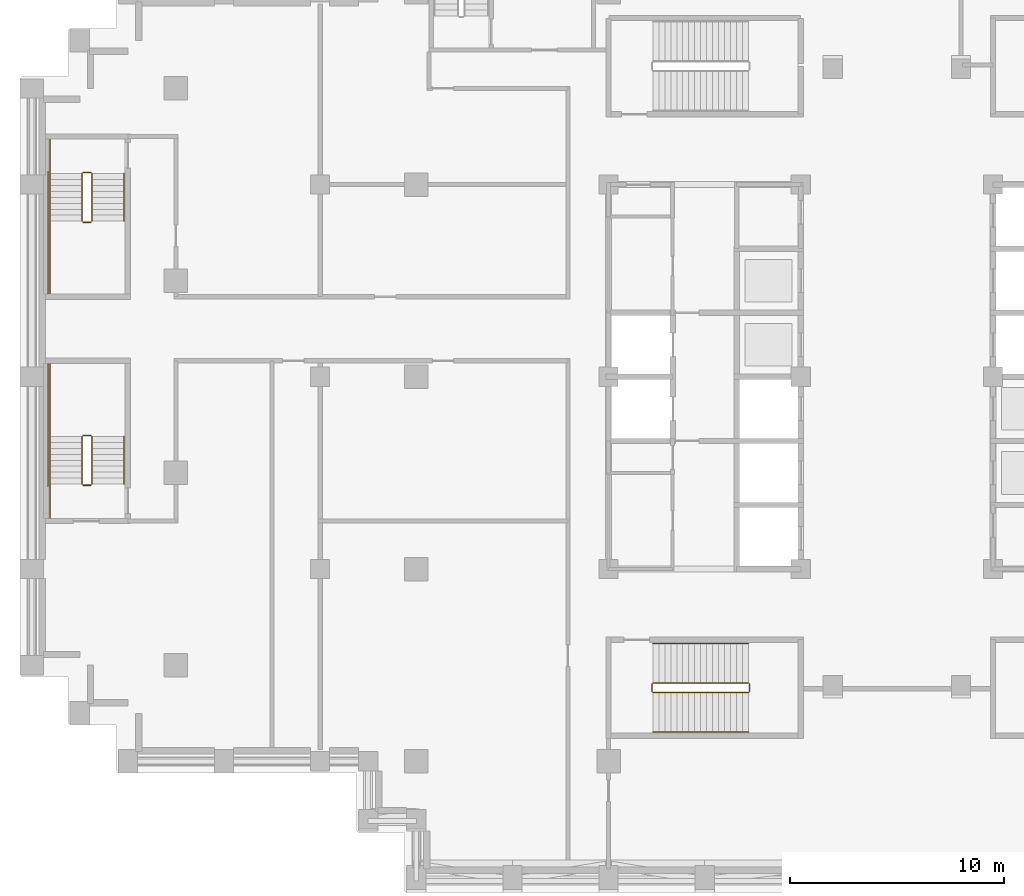
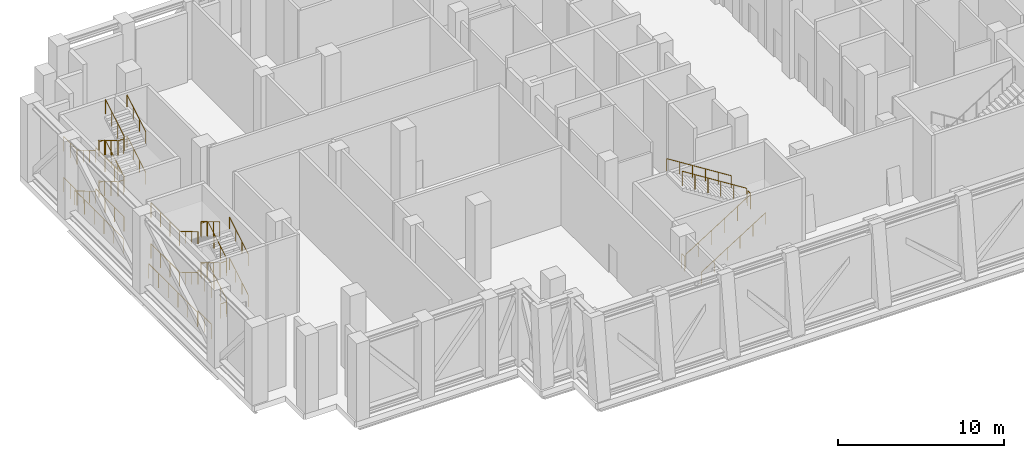
# One storey, part 11 of 14: 3 railings.
"""IFC4 building model written with IfcOpenShell, lengths in metres."""

from ifc_helpers import new_model, si_unit, direction, frame, origin, origin_2d, place, context, subcontext, project, spatial, circle, extrude, material, type_object, element, save


model = new_model("IFC4")

# Units and contexts
model_context = context("Model", 3, precision=1e-05, world=origin(), true_north=direction((0.0, 1.0)))
body_context = subcontext(model_context, "Body", "Model", "MODEL_VIEW")
ifc_project = project(units=[si_unit("LENGTHUNIT", "METRE"), si_unit("AREAUNIT", "SQUARE_METRE"), si_unit("VOLUMEUNIT", "CUBIC_METRE"), si_unit("PLANEANGLEUNIT", "RADIAN"), si_unit("MASSUNIT", "GRAM", prefix="KILO")], contexts=[model_context])

# Site, building, storey
site_placement = place(None, origin())
site = spatial("IfcSite", under=ifc_project, at=site_placement, CompositionType="ELEMENT")
building_placement = place(site_placement, origin())
building = spatial("IfcBuilding", under=site, at=building_placement, Name="Corbelhall Arena Tower", CompositionType="ELEMENT")
storey_placement = place(building_placement, frame((0.0, 0.0, 178.0)))
storey = spatial("IfcBuildingStorey", under=building, at=storey_placement, Name="L36", CompositionType="ELEMENT", Elevation=178.0)

# Railings
ifc_material = material(Name="Steel ASTM A500 Gr C", Category="steel")
railing_type = type_object("IfcRailingType", Name="IN-GD-1100", PredefinedType="GUARDRAIL", material=ifc_material)
railing_1_placement = place(storey_placement, frame((-11.425048828125, -14.77490234375, 0.176513671875)))
element("IfcRailing", 1, at=railing_1_placement, inside=storey, type_object=railing_type, Name="L36 ST2 stair guards and handrails", PredefinedType="GUARDRAIL", context=body_context, shape_type="SweptSolid", body=[
    extrude(circle(Radius=0.02392578125, at=origin_2d()), frame((0.0, 0.0, 1.076171875), z_axis=(0.845997938375, 0.0, 0.533186166611), x_axis=(0.0, 1.0, 0.0)), (0.0, 0.0, 1.0), 5.29541015625),
    extrude(circle(Radius=0.02392578125, at=origin_2d()), frame((4.530029296875, 0.0498046875, 3.8994140625), z_axis=(0.0, 1.0, 0.0), x_axis=(-1.0, 0.0, 0.0)), (0.0, 0.0, 1.0), 0.35009765625),
    extrude(circle(Radius=0.02392578125, at=origin_2d()), frame((4.47998046875, 0.449951171875, 4.076171875), z_axis=(-0.845997938375, 0.0, 0.533186166611), x_axis=(0.0, -1.0, 0.0)), (0.0, 0.0, 1.0), 5.29541015625),
    extrude(circle(Radius=0.02392578125, at=origin_2d()), frame((-0.050048828125, 0.0498046875, 0.8994140625), z_axis=(0.0, 1.0, 0.0), x_axis=(-1.0, 0.0, 0.0)), (0.0, 0.0, 1.0), 0.35009765625),
    extrude(circle(Radius=0.02392578125, at=origin_2d()), frame((0.0, -1.85009765625, 0.8759765625), z_axis=(0.845997938375, 0.0, 0.533186166611), x_axis=(0.0, 1.0, 0.0)), (0.0, 0.0, 1.0), 5.29541015625),
    extrude(circle(Radius=0.02392578125, at=origin_2d()), frame((4.47998046875, 2.2998046875, 3.8759765625), z_axis=(-0.845997938375, 0.0, 0.533186166611), x_axis=(0.0, -1.0, 0.0)), (0.0, 0.0, 1.0), 5.29541015625),
    extrude(circle(Radius=0.02099609375, at=origin_2d()), origin(), (0.0, 0.0, 1.0), 1.052001953125),
    extrude(circle(Radius=0.02099609375, at=origin_2d()), frame((0.89599609375, 0.0, 0.564697265625)), (0.0, 0.0, 1.0), 1.052001953125),
    extrude(circle(Radius=0.02099609375, at=origin_2d()), frame((1.7919921875, 0.0, 1.12939453125)), (0.0, 0.0, 1.0), 1.052001953125),
    extrude(circle(Radius=0.02099609375, at=origin_2d()), frame((2.68798828125, 0.0, 1.694091796875)), (0.0, 0.0, 1.0), 1.052001953125),
    extrude(circle(Radius=0.02099609375, at=origin_2d()), frame((3.583984375, 0.0, 2.2587890625)), (0.0, 0.0, 1.0), 1.052001953125),
    extrude(circle(Radius=0.02099609375, at=origin_2d()), frame((4.47998046875, 0.0, 2.823486328125)), (0.0, 0.0, 1.0), 1.052001953125),
    extrude(circle(Radius=0.02099609375, at=origin_2d()), frame((4.530029296875, 0.0498046875, 2.823486328125)), (0.0, 0.0, 1.0), 1.052001953125),
    extrude(circle(Radius=0.02099609375, at=origin_2d()), frame((4.530029296875, 0.39990234375, 2.823486328125)), (0.0, 0.0, 1.0), 1.052001953125),
    extrude(circle(Radius=0.02099609375, at=origin_2d()), frame((4.47998046875, 0.449951171875, 3.0)), (0.0, 0.0, 1.0), 1.052001953125),
    extrude(circle(Radius=0.02099609375, at=origin_2d()), frame((3.583984375, 0.449951171875, 3.564697265625)), (0.0, 0.0, 1.0), 1.052001953125),
    extrude(circle(Radius=0.02099609375, at=origin_2d()), frame((2.68798828125, 0.449951171875, 4.12939453125)), (0.0, 0.0, 1.0), 1.052001953125),
    extrude(circle(Radius=0.02099609375, at=origin_2d()), frame((1.7919921875, 0.449951171875, 4.694091796875)), (0.0, 0.0, 1.0), 1.052001953125),
    extrude(circle(Radius=0.02099609375, at=origin_2d()), frame((0.89599609375, 0.449951171875, 5.2587890625)), (0.0, 0.0, 1.0), 1.052001953125),
    extrude(circle(Radius=0.02099609375, at=origin_2d()), frame((0.0, 0.449951171875, 5.823486328125)), (0.0, 0.0, 1.0), 1.052001953125),
    extrude(circle(Radius=0.02099609375, at=origin_2d()), frame((-0.050048828125, 0.0498046875, -0.176513671875)), (0.0, 0.0, 1.0), 1.052001953125),
    extrude(circle(Radius=0.02099609375, at=origin_2d()), frame((-0.050048828125, 0.39990234375, -0.176513671875)), (0.0, 0.0, 1.0), 1.052001953125),
    extrude(circle(Radius=0.02099609375, at=origin_2d()), frame((0.0, -1.85009765625, 0.0)), (0.0, 0.0, 1.0), 0.851806640625),
    extrude(circle(Radius=0.02099609375, at=origin_2d()), frame((0.89599609375, -1.85009765625, 0.564697265625)), (0.0, 0.0, 1.0), 0.851806640625),
    extrude(circle(Radius=0.02099609375, at=origin_2d()), frame((1.7919921875, -1.85009765625, 1.12939453125)), (0.0, 0.0, 1.0), 0.851806640625),
    extrude(circle(Radius=0.02099609375, at=origin_2d()), frame((2.68798828125, -1.85009765625, 1.694091796875)), (0.0, 0.0, 1.0), 0.851806640625),
    extrude(circle(Radius=0.02099609375, at=origin_2d()), frame((3.583984375, -1.85009765625, 2.2587890625)), (0.0, 0.0, 1.0), 0.851806640625),
    extrude(circle(Radius=0.02099609375, at=origin_2d()), frame((4.47998046875, -1.85009765625, 2.823486328125)), (0.0, 0.0, 1.0), 0.851806640625),
    extrude(circle(Radius=0.02099609375, at=origin_2d()), frame((4.47998046875, 2.2998046875, 3.0)), (0.0, 0.0, 1.0), 0.851806640625),
    extrude(circle(Radius=0.02099609375, at=origin_2d()), frame((3.583984375, 2.2998046875, 3.564697265625)), (0.0, 0.0, 1.0), 0.851806640625),
    extrude(circle(Radius=0.02099609375, at=origin_2d()), frame((2.68798828125, 2.2998046875, 4.12939453125)), (0.0, 0.0, 1.0), 0.851806640625),
    extrude(circle(Radius=0.02099609375, at=origin_2d()), frame((1.7919921875, 2.2998046875, 4.694091796875)), (0.0, 0.0, 1.0), 0.851806640625),
    extrude(circle(Radius=0.02099609375, at=origin_2d()), frame((0.89599609375, 2.2998046875, 5.2587890625)), (0.0, 0.0, 1.0), 0.851806640625),
    extrude(circle(Radius=0.02099609375, at=origin_2d()), frame((0.0, 2.2998046875, 5.823486328125)), (0.0, 0.0, 1.0), 0.851806640625),
])
railing_2_placement = place(storey_placement, frame((-38.14990234375, 9.52490234375, 0.166748046875)))
element("IfcRailing", 2, at=railing_2_placement, inside=storey, type_object=railing_type, Name="L36 SC1 stair guards and handrails", PredefinedType="GUARDRAIL", context=body_context, shape_type="SweptSolid", body=[
    extrude(circle(Radius=0.02392578125, at=origin_2d()), frame((0.0, 0.0, 1.076171875), z_axis=(0.0, -0.859305625298, 0.511462454469), x_axis=(1.0, 0.0, 0.0)), (0.0, 0.0, 1.0), 2.606689453125),
    extrude(circle(Radius=0.02392578125, at=origin_2d()), frame((0.0498046875, -2.289794921875, 2.4091796875), z_axis=(1.0, 0.0, 0.0), x_axis=(0.0, 1.0, 0.0)), (0.0, 0.0, 1.0), 0.375),
    extrude(circle(Radius=0.02392578125, at=origin_2d()), frame((-1.5, -2.239990234375, 2.4091796875), z_axis=(0.0, -1.0, 0.0), x_axis=(1.0, 0.0, 0.0)), (0.0, 0.0, 1.0), 3.409912109375),
    extrude(circle(Radius=0.02392578125, at=origin_2d()), frame((0.474853515625, -2.239990234375, 2.576171875), z_axis=(0.0, 0.859305625298, 0.511462454469), x_axis=(-1.0, 0.0, 0.0)), (0.0, 0.0, 1.0), 2.606689453125),
    extrude(circle(Radius=0.02392578125, at=origin_2d()), frame((0.0498046875, 0.050048828125, 3.9091796875), z_axis=(1.0, 0.0, 0.0), x_axis=(0.0, 1.0, 0.0)), (0.0, 0.0, 1.0), 0.375),
    extrude(circle(Radius=0.02392578125, at=origin_2d()), frame((-1.5, 1.60009765625, 3.9091796875), z_axis=(0.0, -1.0, 0.0), x_axis=(1.0, 0.0, 0.0)), (0.0, 0.0, 1.0), 1.60009765625),
    extrude(circle(Radius=0.02392578125, at=origin_2d()), frame((0.0, 0.0, 4.076171875), z_axis=(0.0, -0.859305625298, 0.511462454469), x_axis=(1.0, 0.0, 0.0)), (0.0, 0.0, 1.0), 2.606689453125),
    extrude(circle(Radius=0.02392578125, at=origin_2d()), frame((0.0498046875, -2.289794921875, 5.4091796875), z_axis=(1.0, 0.0, 0.0), x_axis=(0.0, 1.0, 0.0)), (0.0, 0.0, 1.0), 0.375),
    extrude(circle(Radius=0.02392578125, at=origin_2d()), frame((-1.5, -2.239990234375, 5.4091796875), z_axis=(0.0, -1.0, 0.0), x_axis=(1.0, 0.0, 0.0)), (0.0, 0.0, 1.0), 3.409912109375),
    extrude(circle(Radius=0.02392578125, at=origin_2d()), frame((0.474853515625, -2.239990234375, 5.576171875), z_axis=(0.0, 0.859305625298, 0.511462454469), x_axis=(-1.0, 0.0, 0.0)), (0.0, 0.0, 1.0), 2.606689453125),
    extrude(circle(Radius=0.02392578125, at=origin_2d()), frame((0.0498046875, 0.050048828125, 0.9091796875), z_axis=(1.0, 0.0, 0.0), x_axis=(0.0, 1.0, 0.0)), (0.0, 0.0, 1.0), 0.375),
    extrude(circle(Radius=0.02392578125, at=origin_2d()), frame((-1.5, 1.60009765625, 0.9091796875), z_axis=(0.0, -1.0, 0.0), x_axis=(1.0, 0.0, 0.0)), (0.0, 0.0, 1.0), 1.60009765625),
    extrude(circle(Radius=0.02392578125, at=origin_2d()), frame((-1.60009765625, 0.10009765625, 0.9091796875), z_axis=(0.0, -1.0, 0.0), x_axis=(1.0, 0.0, 0.0)), (0.0, 0.0, 1.0), 5.85009765625),
    extrude(circle(Radius=0.02392578125, at=origin_2d()), frame((-1.5, 0.0, 0.8759765625), z_axis=(0.0, -0.859305625298, 0.511462454469), x_axis=(1.0, 0.0, 0.0)), (0.0, 0.0, 1.0), 2.606689453125),
    extrude(circle(Radius=0.02392578125, at=origin_2d()), frame((1.974853515625, -2.239990234375, 2.3759765625), z_axis=(0.0, 0.859305625298, 0.511462454469), x_axis=(-1.0, 0.0, 0.0)), (0.0, 0.0, 1.0), 2.606689453125),
    extrude(circle(Radius=0.02392578125, at=origin_2d()), frame((-1.5, 0.0, 3.8759765625), z_axis=(0.0, -0.859305625298, 0.511462454469), x_axis=(1.0, 0.0, 0.0)), (0.0, 0.0, 1.0), 2.606689453125),
    extrude(circle(Radius=0.02392578125, at=origin_2d()), frame((1.974853515625, -2.239990234375, 5.3759765625), z_axis=(0.0, 0.859305625298, 0.511462454469), x_axis=(-1.0, 0.0, 0.0)), (0.0, 0.0, 1.0), 2.606689453125),
    extrude(circle(Radius=0.02099609375, at=origin_2d()), origin(), (0.0, 0.0, 1.0), 1.052001953125),
    extrude(circle(Radius=0.02099609375, at=origin_2d()), frame((0.0, -0.74658203125, 0.4443359375)), (0.0, 0.0, 1.0), 1.052001953125),
    extrude(circle(Radius=0.02099609375, at=origin_2d()), frame((0.0, -1.493408203125, 0.888916015625)), (0.0, 0.0, 1.0), 1.052001953125),
    extrude(circle(Radius=0.02099609375, at=origin_2d()), frame((0.0, -2.239990234375, 1.333251953125)), (0.0, 0.0, 1.0), 1.052001953125),
    extrude(circle(Radius=0.02099609375, at=origin_2d()), frame((0.0498046875, -2.289794921875, 1.333251953125)), (0.0, 0.0, 1.0), 1.052001953125),
    extrude(circle(Radius=0.02099609375, at=origin_2d()), frame((0.4248046875, -2.289794921875, 1.333251953125)), (0.0, 0.0, 1.0), 1.052001953125),
    extrude(circle(Radius=0.02099609375, at=origin_2d()), frame((-1.5, -2.239990234375, 1.333251953125)), (0.0, 0.0, 1.0), 1.052001953125),
    extrude(circle(Radius=0.02099609375, at=origin_2d()), frame((-1.5, -3.376708984375, 1.333251953125)), (0.0, 0.0, 1.0), 1.052001953125),
    extrude(circle(Radius=0.02099609375, at=origin_2d()), frame((-1.5, -4.51318359375, 1.333251953125)), (0.0, 0.0, 1.0), 1.052001953125),
    extrude(circle(Radius=0.02099609375, at=origin_2d()), frame((-1.5, -5.64990234375, 1.333251953125)), (0.0, 0.0, 1.0), 1.052001953125),
    extrude(circle(Radius=0.02099609375, at=origin_2d()), frame((0.474853515625, -2.239990234375, 1.5)), (0.0, 0.0, 1.0), 1.052001953125),
    extrude(circle(Radius=0.02099609375, at=origin_2d()), frame((0.474853515625, -1.493408203125, 1.9443359375)), (0.0, 0.0, 1.0), 1.052001953125),
    extrude(circle(Radius=0.02099609375, at=origin_2d()), frame((0.474853515625, -0.74658203125, 2.388916015625)), (0.0, 0.0, 1.0), 1.052001953125),
    extrude(circle(Radius=0.02099609375, at=origin_2d()), frame((0.474853515625, 0.0, 2.833251953125)), (0.0, 0.0, 1.0), 1.052001953125),
    extrude(circle(Radius=0.02099609375, at=origin_2d()), frame((0.0498046875, 0.050048828125, 2.833251953125)), (0.0, 0.0, 1.0), 1.052001953125),
    extrude(circle(Radius=0.02099609375, at=origin_2d()), frame((0.4248046875, 0.050048828125, 2.833251953125)), (0.0, 0.0, 1.0), 1.052001953125),
    extrude(circle(Radius=0.02099609375, at=origin_2d()), frame((-1.5, 1.60009765625, 2.833251953125)), (0.0, 0.0, 1.0), 1.052001953125),
    extrude(circle(Radius=0.02099609375, at=origin_2d()), frame((-1.5, 0.800048828125, 2.833251953125)), (0.0, 0.0, 1.0), 1.052001953125),
    extrude(circle(Radius=0.02099609375, at=origin_2d()), frame((-1.5, 0.0, 2.833251953125)), (0.0, 0.0, 1.0), 1.052001953125),
    extrude(circle(Radius=0.02099609375, at=origin_2d()), frame((0.0, 0.0, 3.0)), (0.0, 0.0, 1.0), 1.052001953125),
    extrude(circle(Radius=0.02099609375, at=origin_2d()), frame((0.0, -0.74658203125, 3.4443359375)), (0.0, 0.0, 1.0), 1.052001953125),
    extrude(circle(Radius=0.02099609375, at=origin_2d()), frame((0.0, -1.493408203125, 3.888916015625)), (0.0, 0.0, 1.0), 1.052001953125),
    extrude(circle(Radius=0.02099609375, at=origin_2d()), frame((0.0, -2.239990234375, 4.333251953125)), (0.0, 0.0, 1.0), 1.052001953125),
    extrude(circle(Radius=0.02099609375, at=origin_2d()), frame((0.0498046875, -2.289794921875, 4.333251953125)), (0.0, 0.0, 1.0), 1.052001953125),
    extrude(circle(Radius=0.02099609375, at=origin_2d()), frame((0.4248046875, -2.289794921875, 4.333251953125)), (0.0, 0.0, 1.0), 1.052001953125),
    extrude(circle(Radius=0.02099609375, at=origin_2d()), frame((-1.5, -2.239990234375, 4.333251953125)), (0.0, 0.0, 1.0), 1.052001953125),
    extrude(circle(Radius=0.02099609375, at=origin_2d()), frame((-1.5, -3.376708984375, 4.333251953125)), (0.0, 0.0, 1.0), 1.052001953125),
    extrude(circle(Radius=0.02099609375, at=origin_2d()), frame((-1.5, -4.51318359375, 4.333251953125)), (0.0, 0.0, 1.0), 1.052001953125),
    extrude(circle(Radius=0.02099609375, at=origin_2d()), frame((-1.5, -5.64990234375, 4.333251953125)), (0.0, 0.0, 1.0), 1.052001953125),
    extrude(circle(Radius=0.02099609375, at=origin_2d()), frame((0.474853515625, -2.239990234375, 4.5)), (0.0, 0.0, 1.0), 1.052001953125),
    extrude(circle(Radius=0.02099609375, at=origin_2d()), frame((0.474853515625, -1.493408203125, 4.9443359375)), (0.0, 0.0, 1.0), 1.052001953125),
    extrude(circle(Radius=0.02099609375, at=origin_2d()), frame((0.474853515625, -0.74658203125, 5.388916015625)), (0.0, 0.0, 1.0), 1.052001953125),
    extrude(circle(Radius=0.02099609375, at=origin_2d()), frame((0.474853515625, 0.0, 5.833251953125)), (0.0, 0.0, 1.0), 1.052001953125),
    extrude(circle(Radius=0.02099609375, at=origin_2d()), frame((0.0498046875, 0.050048828125, -0.166748046875)), (0.0, 0.0, 1.0), 1.052001953125),
    extrude(circle(Radius=0.02099609375, at=origin_2d()), frame((0.4248046875, 0.050048828125, -0.166748046875)), (0.0, 0.0, 1.0), 1.052001953125),
    extrude(circle(Radius=0.02099609375, at=origin_2d()), frame((-1.5, 1.60009765625, -0.166748046875)), (0.0, 0.0, 1.0), 1.052001953125),
    extrude(circle(Radius=0.02099609375, at=origin_2d()), frame((-1.5, 0.800048828125, -0.166748046875)), (0.0, 0.0, 1.0), 1.052001953125),
    extrude(circle(Radius=0.02099609375, at=origin_2d()), frame((-1.5, 0.0, -0.166748046875)), (0.0, 0.0, 1.0), 1.052001953125),
    extrude(circle(Radius=0.02099609375, at=origin_2d()), frame((-1.60009765625, 0.10009765625, -0.166748046875)), (0.0, 0.0, 1.0), 1.052001953125),
    extrude(circle(Radius=0.02099609375, at=origin_2d()), frame((-1.60009765625, -1.06982421875, -0.166748046875)), (0.0, 0.0, 1.0), 1.052001953125),
    extrude(circle(Radius=0.02099609375, at=origin_2d()), frame((-1.60009765625, -2.239990234375, -0.166748046875)), (0.0, 0.0, 1.0), 1.052001953125),
    extrude(circle(Radius=0.02099609375, at=origin_2d()), frame((-1.60009765625, -3.409912109375, -0.166748046875)), (0.0, 0.0, 1.0), 1.052001953125),
    extrude(circle(Radius=0.02099609375, at=origin_2d()), frame((-1.60009765625, -4.580078125, -0.166748046875)), (0.0, 0.0, 1.0), 1.052001953125),
    extrude(circle(Radius=0.02099609375, at=origin_2d()), frame((-1.60009765625, -5.75, -0.166748046875)), (0.0, 0.0, 1.0), 1.052001953125),
    extrude(circle(Radius=0.02099609375, at=origin_2d()), frame((-1.5, 0.0, 0.0)), (0.0, 0.0, 1.0), 0.851806640625),
    extrude(circle(Radius=0.02099609375, at=origin_2d()), frame((-1.5, -0.74658203125, 0.4443359375)), (0.0, 0.0, 1.0), 0.851806640625),
    extrude(circle(Radius=0.02099609375, at=origin_2d()), frame((-1.5, -1.493408203125, 0.888916015625)), (0.0, 0.0, 1.0), 0.851806640625),
    extrude(circle(Radius=0.02099609375, at=origin_2d()), frame((1.974853515625, -2.239990234375, 1.5)), (0.0, 0.0, 1.0), 0.851806640625),
    extrude(circle(Radius=0.02099609375, at=origin_2d()), frame((1.974853515625, -1.493408203125, 1.9443359375)), (0.0, 0.0, 1.0), 0.851806640625),
    extrude(circle(Radius=0.02099609375, at=origin_2d()), frame((1.974853515625, -0.74658203125, 2.388916015625)), (0.0, 0.0, 1.0), 0.851806640625),
    extrude(circle(Radius=0.02099609375, at=origin_2d()), frame((1.974853515625, 0.0, 2.833251953125)), (0.0, 0.0, 1.0), 0.851806640625),
    extrude(circle(Radius=0.02099609375, at=origin_2d()), frame((-1.5, 0.0, 3.0)), (0.0, 0.0, 1.0), 0.851806640625),
    extrude(circle(Radius=0.02099609375, at=origin_2d()), frame((-1.5, -0.74658203125, 3.4443359375)), (0.0, 0.0, 1.0), 0.851806640625),
    extrude(circle(Radius=0.02099609375, at=origin_2d()), frame((-1.5, -1.493408203125, 3.888916015625)), (0.0, 0.0, 1.0), 0.851806640625),
    extrude(circle(Radius=0.02099609375, at=origin_2d()), frame((1.974853515625, -2.239990234375, 4.5)), (0.0, 0.0, 1.0), 0.851806640625),
    extrude(circle(Radius=0.02099609375, at=origin_2d()), frame((1.974853515625, -1.493408203125, 4.9443359375)), (0.0, 0.0, 1.0), 0.851806640625),
    extrude(circle(Radius=0.02099609375, at=origin_2d()), frame((1.974853515625, -0.74658203125, 5.388916015625)), (0.0, 0.0, 1.0), 0.851806640625),
    extrude(circle(Radius=0.02099609375, at=origin_2d()), frame((1.974853515625, 0.0, 5.833251953125)), (0.0, 0.0, 1.0), 0.851806640625),
])
railing_3_placement = place(storey_placement, frame((-37.675048828125, -5.02490234375, 0.166748046875)))
element("IfcRailing", 3, at=railing_3_placement, inside=storey, type_object=railing_type, Name="L36 SC2 stair guards and handrails", PredefinedType="GUARDRAIL", context=body_context, shape_type="SweptSolid", body=[
    extrude(circle(Radius=0.02392578125, at=origin_2d()), frame((0.0, 0.0, 1.076171875), z_axis=(0.0, 0.859305625298, 0.511462454469), x_axis=(-1.0, 0.0, 0.0)), (0.0, 0.0, 1.0), 2.606689453125),
    extrude(circle(Radius=0.02392578125, at=origin_2d()), frame((-0.050048828125, 2.289794921875, 2.4091796875), z_axis=(-1.0, 0.0, 0.0), x_axis=(0.0, -1.0, 0.0)), (0.0, 0.0, 1.0), 0.375),
    extrude(circle(Radius=0.02392578125, at=origin_2d()), frame((-1.974853515625, 2.239990234375, 2.4091796875), z_axis=(0.0, 1.0, 0.0), x_axis=(-1.0, 0.0, 0.0)), (0.0, 0.0, 1.0), 3.409912109375),
    extrude(circle(Radius=0.02392578125, at=origin_2d()), frame((-0.474853515625, 2.239990234375, 2.576171875), z_axis=(0.0, -0.859305625298, 0.511462454469), x_axis=(1.0, 0.0, 0.0)), (0.0, 0.0, 1.0), 2.606689453125),
    extrude(circle(Radius=0.02392578125, at=origin_2d()), frame((-0.050048828125, -0.050048828125, 3.9091796875), z_axis=(-1.0, 0.0, 0.0), x_axis=(0.0, -1.0, 0.0)), (0.0, 0.0, 1.0), 0.375),
    extrude(circle(Radius=0.02392578125, at=origin_2d()), frame((-1.974853515625, -1.60009765625, 3.9091796875), z_axis=(0.0, 1.0, 0.0), x_axis=(-1.0, 0.0, 0.0)), (0.0, 0.0, 1.0), 1.60009765625),
    extrude(circle(Radius=0.02392578125, at=origin_2d()), frame((0.0, 0.0, 4.076171875), z_axis=(0.0, 0.859305625298, 0.511462454469), x_axis=(-1.0, 0.0, 0.0)), (0.0, 0.0, 1.0), 2.606689453125),
    extrude(circle(Radius=0.02392578125, at=origin_2d()), frame((-0.050048828125, 2.289794921875, 5.4091796875), z_axis=(-1.0, 0.0, 0.0), x_axis=(0.0, -1.0, 0.0)), (0.0, 0.0, 1.0), 0.375),
    extrude(circle(Radius=0.02392578125, at=origin_2d()), frame((-1.974853515625, 2.239990234375, 5.4091796875), z_axis=(0.0, 1.0, 0.0), x_axis=(-1.0, 0.0, 0.0)), (0.0, 0.0, 1.0), 3.409912109375),
    extrude(circle(Radius=0.02392578125, at=origin_2d()), frame((-0.474853515625, 2.239990234375, 5.576171875), z_axis=(0.0, -0.859305625298, 0.511462454469), x_axis=(1.0, 0.0, 0.0)), (0.0, 0.0, 1.0), 2.606689453125),
    extrude(circle(Radius=0.02392578125, at=origin_2d()), frame((-0.050048828125, -0.050048828125, 0.9091796875), z_axis=(-1.0, 0.0, 0.0), x_axis=(0.0, -1.0, 0.0)), (0.0, 0.0, 1.0), 0.375),
    extrude(circle(Radius=0.02392578125, at=origin_2d()), frame((-1.974853515625, -1.60009765625, 0.9091796875), z_axis=(0.0, 1.0, 0.0), x_axis=(-1.0, 0.0, 0.0)), (0.0, 0.0, 1.0), 1.60009765625),
    extrude(circle(Radius=0.02392578125, at=origin_2d()), frame((-2.074951171875, -0.10009765625, 0.9091796875), z_axis=(0.0, 1.0, 0.0), x_axis=(-1.0, 0.0, 0.0)), (0.0, 0.0, 1.0), 5.85009765625),
    extrude(circle(Radius=0.02392578125, at=origin_2d()), frame((1.5, 0.0, 0.8759765625), z_axis=(0.0, 0.859305625298, 0.511462454469), x_axis=(-1.0, 0.0, 0.0)), (0.0, 0.0, 1.0), 2.606689453125),
    extrude(circle(Radius=0.02392578125, at=origin_2d()), frame((-1.974853515625, 2.239990234375, 2.3759765625), z_axis=(0.0, -0.859305625298, 0.511462454469), x_axis=(1.0, 0.0, 0.0)), (0.0, 0.0, 1.0), 2.606689453125),
    extrude(circle(Radius=0.02392578125, at=origin_2d()), frame((1.5, 0.0, 3.8759765625), z_axis=(0.0, 0.859305625298, 0.511462454469), x_axis=(-1.0, 0.0, 0.0)), (0.0, 0.0, 1.0), 2.606689453125),
    extrude(circle(Radius=0.02392578125, at=origin_2d()), frame((-1.974853515625, 2.239990234375, 5.3759765625), z_axis=(0.0, -0.859305625298, 0.511462454469), x_axis=(1.0, 0.0, 0.0)), (0.0, 0.0, 1.0), 2.606689453125),
    extrude(circle(Radius=0.02099609375, at=origin_2d()), origin(), (0.0, 0.0, 1.0), 1.052001953125),
    extrude(circle(Radius=0.02099609375, at=origin_2d()), frame((0.0, 0.74658203125, 0.4443359375)), (0.0, 0.0, 1.0), 1.052001953125),
    extrude(circle(Radius=0.02099609375, at=origin_2d()), frame((0.0, 1.493408203125, 0.888916015625)), (0.0, 0.0, 1.0), 1.052001953125),
    extrude(circle(Radius=0.02099609375, at=origin_2d()), frame((0.0, 2.239990234375, 1.333251953125)), (0.0, 0.0, 1.0), 1.052001953125),
    extrude(circle(Radius=0.02099609375, at=origin_2d()), frame((-0.050048828125, 2.289794921875, 1.333251953125)), (0.0, 0.0, 1.0), 1.052001953125),
    extrude(circle(Radius=0.02099609375, at=origin_2d()), frame((-0.425048828125, 2.289794921875, 1.333251953125)), (0.0, 0.0, 1.0), 1.052001953125),
    extrude(circle(Radius=0.02099609375, at=origin_2d()), frame((-1.974853515625, 2.239990234375, 1.333251953125)), (0.0, 0.0, 1.0), 1.052001953125),
    extrude(circle(Radius=0.02099609375, at=origin_2d()), frame((-1.974853515625, 3.376708984375, 1.333251953125)), (0.0, 0.0, 1.0), 1.052001953125),
    extrude(circle(Radius=0.02099609375, at=origin_2d()), frame((-1.974853515625, 4.51318359375, 1.333251953125)), (0.0, 0.0, 1.0), 1.052001953125),
    extrude(circle(Radius=0.02099609375, at=origin_2d()), frame((-1.974853515625, 5.64990234375, 1.333251953125)), (0.0, 0.0, 1.0), 1.052001953125),
    extrude(circle(Radius=0.02099609375, at=origin_2d()), frame((-0.474853515625, 2.239990234375, 1.5)), (0.0, 0.0, 1.0), 1.052001953125),
    extrude(circle(Radius=0.02099609375, at=origin_2d()), frame((-0.474853515625, 1.493408203125, 1.9443359375)), (0.0, 0.0, 1.0), 1.052001953125),
    extrude(circle(Radius=0.02099609375, at=origin_2d()), frame((-0.474853515625, 0.74658203125, 2.388916015625)), (0.0, 0.0, 1.0), 1.052001953125),
    extrude(circle(Radius=0.02099609375, at=origin_2d()), frame((-0.474853515625, 0.0, 2.833251953125)), (0.0, 0.0, 1.0), 1.052001953125),
    extrude(circle(Radius=0.02099609375, at=origin_2d()), frame((-0.050048828125, -0.050048828125, 2.833251953125)), (0.0, 0.0, 1.0), 1.052001953125),
    extrude(circle(Radius=0.02099609375, at=origin_2d()), frame((-0.425048828125, -0.050048828125, 2.833251953125)), (0.0, 0.0, 1.0), 1.052001953125),
    extrude(circle(Radius=0.02099609375, at=origin_2d()), frame((-1.974853515625, -1.60009765625, 2.833251953125)), (0.0, 0.0, 1.0), 1.052001953125),
    extrude(circle(Radius=0.02099609375, at=origin_2d()), frame((-1.974853515625, -0.800048828125, 2.833251953125)), (0.0, 0.0, 1.0), 1.052001953125),
    extrude(circle(Radius=0.02099609375, at=origin_2d()), frame((-1.974853515625, 0.0, 2.833251953125)), (0.0, 0.0, 1.0), 1.052001953125),
    extrude(circle(Radius=0.02099609375, at=origin_2d()), frame((0.0, 0.0, 3.0)), (0.0, 0.0, 1.0), 1.052001953125),
    extrude(circle(Radius=0.02099609375, at=origin_2d()), frame((0.0, 0.74658203125, 3.4443359375)), (0.0, 0.0, 1.0), 1.052001953125),
    extrude(circle(Radius=0.02099609375, at=origin_2d()), frame((0.0, 1.493408203125, 3.888916015625)), (0.0, 0.0, 1.0), 1.052001953125),
    extrude(circle(Radius=0.02099609375, at=origin_2d()), frame((0.0, 2.239990234375, 4.333251953125)), (0.0, 0.0, 1.0), 1.052001953125),
    extrude(circle(Radius=0.02099609375, at=origin_2d()), frame((-0.050048828125, 2.289794921875, 4.333251953125)), (0.0, 0.0, 1.0), 1.052001953125),
    extrude(circle(Radius=0.02099609375, at=origin_2d()), frame((-0.425048828125, 2.289794921875, 4.333251953125)), (0.0, 0.0, 1.0), 1.052001953125),
    extrude(circle(Radius=0.02099609375, at=origin_2d()), frame((-1.974853515625, 2.239990234375, 4.333251953125)), (0.0, 0.0, 1.0), 1.052001953125),
    extrude(circle(Radius=0.02099609375, at=origin_2d()), frame((-1.974853515625, 3.376708984375, 4.333251953125)), (0.0, 0.0, 1.0), 1.052001953125),
    extrude(circle(Radius=0.02099609375, at=origin_2d()), frame((-1.974853515625, 4.51318359375, 4.333251953125)), (0.0, 0.0, 1.0), 1.052001953125),
    extrude(circle(Radius=0.02099609375, at=origin_2d()), frame((-1.974853515625, 5.64990234375, 4.333251953125)), (0.0, 0.0, 1.0), 1.052001953125),
    extrude(circle(Radius=0.02099609375, at=origin_2d()), frame((-0.474853515625, 2.239990234375, 4.5)), (0.0, 0.0, 1.0), 1.052001953125),
    extrude(circle(Radius=0.02099609375, at=origin_2d()), frame((-0.474853515625, 1.493408203125, 4.9443359375)), (0.0, 0.0, 1.0), 1.052001953125),
    extrude(circle(Radius=0.02099609375, at=origin_2d()), frame((-0.474853515625, 0.74658203125, 5.388916015625)), (0.0, 0.0, 1.0), 1.052001953125),
    extrude(circle(Radius=0.02099609375, at=origin_2d()), frame((-0.474853515625, 0.0, 5.833251953125)), (0.0, 0.0, 1.0), 1.052001953125),
    extrude(circle(Radius=0.02099609375, at=origin_2d()), frame((-0.050048828125, -0.050048828125, -0.166748046875)), (0.0, 0.0, 1.0), 1.052001953125),
    extrude(circle(Radius=0.02099609375, at=origin_2d()), frame((-0.425048828125, -0.050048828125, -0.166748046875)), (0.0, 0.0, 1.0), 1.052001953125),
    extrude(circle(Radius=0.02099609375, at=origin_2d()), frame((-1.974853515625, -1.60009765625, -0.166748046875)), (0.0, 0.0, 1.0), 1.052001953125),
    extrude(circle(Radius=0.02099609375, at=origin_2d()), frame((-1.974853515625, -0.800048828125, -0.166748046875)), (0.0, 0.0, 1.0), 1.052001953125),
    extrude(circle(Radius=0.02099609375, at=origin_2d()), frame((-1.974853515625, 0.0, -0.166748046875)), (0.0, 0.0, 1.0), 1.052001953125),
    extrude(circle(Radius=0.02099609375, at=origin_2d()), frame((-2.074951171875, -0.10009765625, -0.166748046875)), (0.0, 0.0, 1.0), 1.052001953125),
    extrude(circle(Radius=0.02099609375, at=origin_2d()), frame((-2.074951171875, 1.06982421875, -0.166748046875)), (0.0, 0.0, 1.0), 1.052001953125),
    extrude(circle(Radius=0.02099609375, at=origin_2d()), frame((-2.074951171875, 2.239990234375, -0.166748046875)), (0.0, 0.0, 1.0), 1.052001953125),
    extrude(circle(Radius=0.02099609375, at=origin_2d()), frame((-2.074951171875, 3.409912109375, -0.166748046875)), (0.0, 0.0, 1.0), 1.052001953125),
    extrude(circle(Radius=0.02099609375, at=origin_2d()), frame((-2.074951171875, 4.580078125, -0.166748046875)), (0.0, 0.0, 1.0), 1.052001953125),
    extrude(circle(Radius=0.02099609375, at=origin_2d()), frame((-2.074951171875, 5.75, -0.166748046875)), (0.0, 0.0, 1.0), 1.052001953125),
    extrude(circle(Radius=0.02099609375, at=origin_2d()), frame((1.5, 0.0, 0.0)), (0.0, 0.0, 1.0), 0.851806640625),
    extrude(circle(Radius=0.02099609375, at=origin_2d()), frame((1.5, 0.74658203125, 0.4443359375)), (0.0, 0.0, 1.0), 0.851806640625),
    extrude(circle(Radius=0.02099609375, at=origin_2d()), frame((1.5, 1.493408203125, 0.888916015625)), (0.0, 0.0, 1.0), 0.851806640625),
    extrude(circle(Radius=0.02099609375, at=origin_2d()), frame((1.5, 2.239990234375, 1.333251953125)), (0.0, 0.0, 1.0), 0.851806640625),
    extrude(circle(Radius=0.02099609375, at=origin_2d()), frame((-1.974853515625, 2.239990234375, 1.5)), (0.0, 0.0, 1.0), 0.851806640625),
    extrude(circle(Radius=0.02099609375, at=origin_2d()), frame((-1.974853515625, 1.493408203125, 1.9443359375)), (0.0, 0.0, 1.0), 0.851806640625),
    extrude(circle(Radius=0.02099609375, at=origin_2d()), frame((-1.974853515625, 0.74658203125, 2.388916015625)), (0.0, 0.0, 1.0), 0.851806640625),
    extrude(circle(Radius=0.02099609375, at=origin_2d()), frame((1.5, 0.0, 3.0)), (0.0, 0.0, 1.0), 0.851806640625),
    extrude(circle(Radius=0.02099609375, at=origin_2d()), frame((1.5, 0.74658203125, 3.4443359375)), (0.0, 0.0, 1.0), 0.851806640625),
    extrude(circle(Radius=0.02099609375, at=origin_2d()), frame((1.5, 1.493408203125, 3.888916015625)), (0.0, 0.0, 1.0), 0.851806640625),
    extrude(circle(Radius=0.02099609375, at=origin_2d()), frame((1.5, 2.239990234375, 4.333251953125)), (0.0, 0.0, 1.0), 0.851806640625),
    extrude(circle(Radius=0.02099609375, at=origin_2d()), frame((-1.974853515625, 2.239990234375, 4.5)), (0.0, 0.0, 1.0), 0.851806640625),
    extrude(circle(Radius=0.02099609375, at=origin_2d()), frame((-1.974853515625, 1.493408203125, 4.9443359375)), (0.0, 0.0, 1.0), 0.851806640625),
    extrude(circle(Radius=0.02099609375, at=origin_2d()), frame((-1.974853515625, 0.74658203125, 5.388916015625)), (0.0, 0.0, 1.0), 0.851806640625),
    extrude(circle(Radius=0.02099609375, at=origin_2d()), frame((-1.974853515625, 0.0, 5.833251953125)), (0.0, 0.0, 1.0), 0.851806640625),
])

save(model, "model.ifc")
